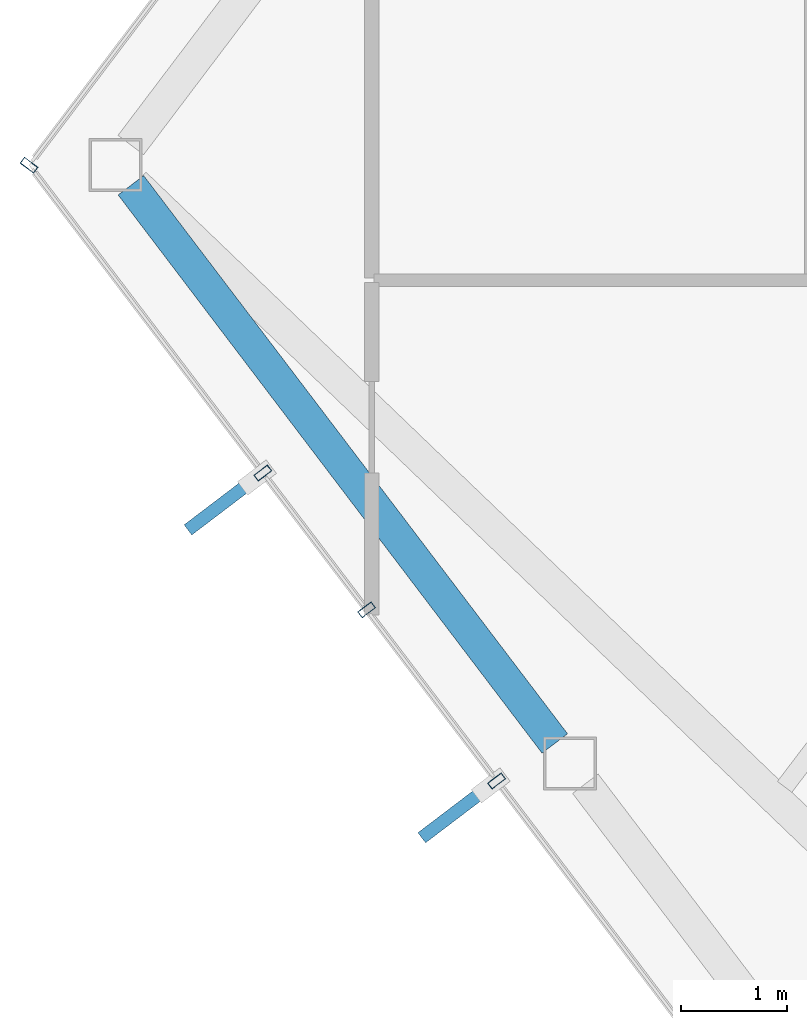
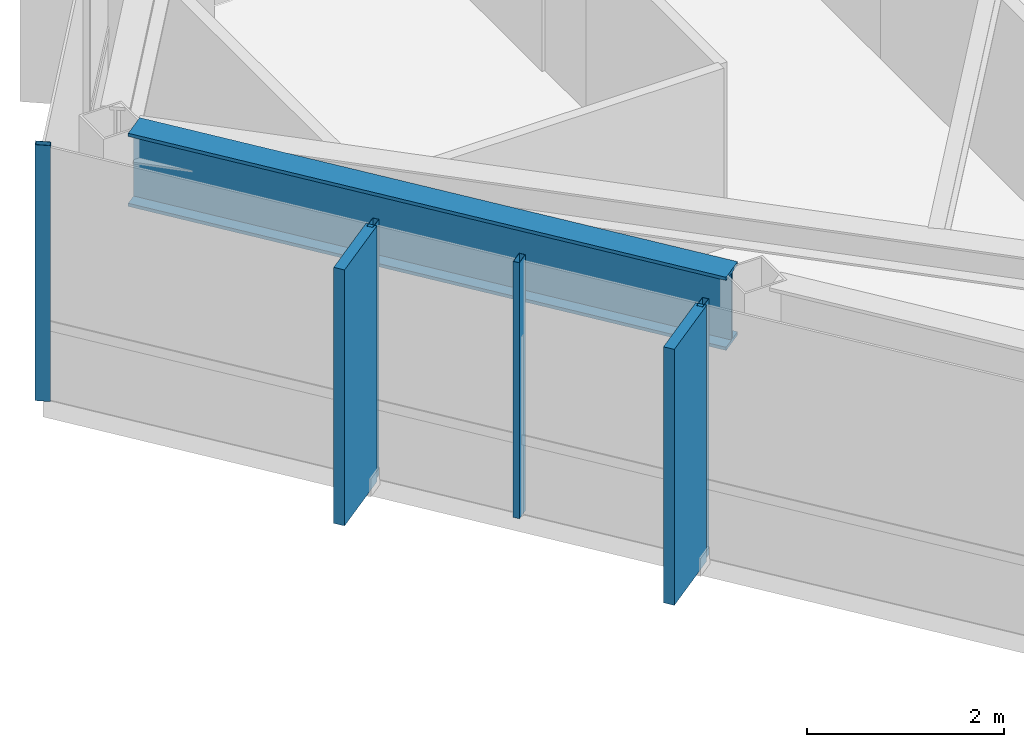
# One storey, part 8 of 24: 6 members, 1 beam, 2 elements without a shape of their own.
"""IFC4 building model written with IfcOpenShell, lengths in metres."""

import ifcopenshell
import ifcopenshell.guid

model = None  # the IFC model being written
_history = None  # IfcOwnerHistory: only IFC2X3 demands one
_inside = {}  # id of a spatial element -> (the spatial element, [elements in it])
_under = {}  # id of a project, library or spatial element -> (it, [spatial elements below it])
_declared = {}  # id of a project -> (the project, [libraries it declares])
_typed = {}  # id of a type object -> (the type object, [elements of that type])
_made_of = {}  # id of a material, layer set ... -> (it, [elements and type objects made of it])


def new_model(schema):
    """Start an empty IFC model of exactly this schema.

    Asked for "IFC4X3", IfcOpenShell would pick the latest addendum, in which some entities
    have other attributes; the version numbers below select the first issue.
    IFC2X3 requires an IfcOwnerHistory on every rooted entity: one is made here for all.
    """
    global model, _history
    if schema == "IFC4X3":
        model = ifcopenshell.file(schema_version=(4, 3, 0, 0))
    else:
        model = ifcopenshell.file(schema=schema)
    _inside.clear()
    _under.clear()
    _declared.clear()
    _typed.clear()
    _made_of.clear()
    _history = None
    if model.schema == "IFC2X3":
        org = make("IfcOrganization", Name="unknown")
        user = make(
            "IfcPersonAndOrganization",
            ThePerson=make("IfcPerson", FamilyName="unknown"),
            TheOrganization=org,
        )
        app = make(
            "IfcApplication",
            ApplicationDeveloper=org,
            Version="unknown",
            ApplicationFullName="unknown",
            ApplicationIdentifier="unknown",
        )
        _history = make(
            "IfcOwnerHistory",
            OwningUser=user,
            OwningApplication=app,
            ChangeAction="ADDED",
            CreationDate=0,
        )
    return model


def make(cls, **values):
    """One entity of the class cls with the attributes given. An attribute that is None is left unset."""
    return model.create_entity(
        cls, **{name: value for name, value in values.items() if value is not None}
    )


def rooted(cls, **values):
    """An entity with a GlobalId (a new one), such as an element, a storey or a relation."""
    return make(cls, GlobalId=ifcopenshell.guid.new(), OwnerHistory=_history, **values)


def si_unit(unit_type, name, prefix=None):
    """IfcSIUnit, for example si_unit("LENGTHUNIT", "METRE", prefix="MILLI")."""
    return make("IfcSIUnit", UnitType=unit_type, Prefix=prefix, Name=name)


def assignment(units):
    """IfcUnitAssignment: the units of a project."""
    return None if units is None else make("IfcUnitAssignment", Units=units)


def point(xyz):
    """IfcCartesianPoint."""
    return None if xyz is None else make("IfcCartesianPoint", Coordinates=xyz)


def direction(xyz):
    """IfcDirection."""
    return None if xyz is None else make("IfcDirection", DirectionRatios=xyz)


def frame(location, z_axis=None, x_axis=None):
    """IfcAxis2Placement3D, a coordinate frame: its origin and axes. An axis left out is left unset."""
    return make(
        "IfcAxis2Placement3D",
        Location=point(location),
        Axis=direction(z_axis),
        RefDirection=direction(x_axis),
    )


def frame_2d(location, x_axis=None):
    """IfcAxis2Placement2D, a coordinate frame in the plane: its origin and x axis."""
    return make(
        "IfcAxis2Placement2D", Location=point(location), RefDirection=direction(x_axis)
    )


def origin():
    """The frame at (0, 0, 0) with its axes left unset."""
    return frame((0.0, 0.0, 0.0))


def origin_2d():
    """The frame at (0, 0) in the plane with its x axis left unset."""
    return frame_2d((0.0, 0.0))


def place(relative_to, where):
    """IfcLocalPlacement: puts the frame where relative to a parent placement (None: the world)."""
    return make(
        "IfcLocalPlacement", PlacementRelTo=relative_to, RelativePlacement=where
    )


def context(
    kind, dimensions, precision=None, world=None, true_north=None, identifier=None
):
    """IfcGeometricRepresentationContext, for example the 3D "Model" context."""
    return make(
        "IfcGeometricRepresentationContext",
        ContextIdentifier=identifier,
        ContextType=kind,
        CoordinateSpaceDimension=dimensions,
        Precision=precision,
        WorldCoordinateSystem=world,
        TrueNorth=true_north,
    )


def subcontext(parent, identifier, kind, view, scale=None):
    """IfcGeometricRepresentationSubContext, for example "Body" below "Model"."""
    return make(
        "IfcGeometricRepresentationSubContext",
        ContextIdentifier=identifier,
        ContextType=kind,
        ParentContext=parent,
        TargetScale=scale,
        TargetView=view,
    )


def project(units=None, contexts=None):
    """IfcProject with its units and contexts."""
    return rooted(
        "IfcProject",
        Name="project",
        RepresentationContexts=contexts,
        UnitsInContext=assignment(units),
    )


def spatial(cls, under=None, at=None, **own):
    """A site, building, storey or space (cls), placed at a placement, below another one or the project."""
    s = rooted(cls, ObjectPlacement=at, **own)
    if under is not None:
        _under.setdefault(under.id(), (under, []))[1].append(s)
    return s


def profile(cls, at=None, kind="AREA", **sizes):
    """A parametric profile (cls). Its sizes go by their IFC names, for example OverallWidth=200.0."""
    return make(cls, ProfileType=kind, Position=at, **sizes)


def rectangle(**sizes):
    """IfcRectangleProfileDef."""
    return profile("IfcRectangleProfileDef", **sizes)


def hollow_rectangle(**sizes):
    """IfcRectangleHollowProfileDef."""
    return profile("IfcRectangleHollowProfileDef", **sizes)


def i_section(**sizes):
    """IfcIShapeProfileDef."""
    return profile("IfcIShapeProfileDef", **sizes)


def extrude(swept, where, along, depth):
    """IfcExtrudedAreaSolid: the profile swept, set in the frame where, extruded along a direction by depth."""
    return make(
        "IfcExtrudedAreaSolid",
        SweptArea=swept,
        Position=where,
        ExtrudedDirection=direction(along),
        Depth=depth,
    )


def shape(context_of_items, identifier, shape_type, items):
    """IfcShapeRepresentation: the items that make up one representation, for example the "Body"."""
    return make(
        "IfcShapeRepresentation",
        ContextOfItems=context_of_items,
        RepresentationIdentifier=identifier,
        RepresentationType=shape_type,
        Items=items,
    )


def material(Name=None, Category=None):
    """IfcMaterial."""
    return make("IfcMaterial", Name=Name, Category=Category)


def layer(
    of_material, thickness, ventilated=None, Name=None, Category=None, Priority=None
):
    """IfcMaterialLayer: one layer of a wall or slab, of a material (None: an air gap)."""
    return make(
        "IfcMaterialLayer",
        Material=of_material,
        LayerThickness=thickness,
        IsVentilated=ventilated,
        Name=Name,
        Category=Category,
        Priority=Priority,
    )


def layer_set(layers, Name=None):
    """IfcMaterialLayerSet."""
    return make("IfcMaterialLayerSet", MaterialLayers=layers, LayerSetName=Name)


def material_profile(
    of_material, cross_section, Name=None, Category=None, Priority=None
):
    """IfcMaterialProfile: a cross section and its material."""
    return make(
        "IfcMaterialProfile",
        Name=Name,
        Material=of_material,
        Profile=cross_section,
        Priority=Priority,
        Category=Category,
    )


def profile_set(profiles, Name=None, composite=None):
    """IfcMaterialProfileSet."""
    return make(
        "IfcMaterialProfileSet",
        Name=Name,
        MaterialProfiles=profiles,
        CompositeProfile=composite,
    )


def made_of(thing, what):
    """Note that an element or type object is made of a material, layer set ...; save() writes the relation."""
    if what is not None:
        _made_of.setdefault(what.id(), (what, []))[1].append(thing)
    return thing


def type_object(cls, material=None, **own):
    """A type object (cls), such as IfcWallType, which elements share."""
    return made_of(rooted(cls, **own), material)


def element(
    cls,
    number,
    at=None,
    inside=None,
    cuts=None,
    type_object=None,
    material=None,
    context=None,
    identifier="Body",
    shape_type=None,
    held_by="IfcProductDefinitionShape",
    body=None,
    shapes=None,
    **own,
):
    """One element of the class cls, such as IfcWall. Its Tag is "e" and its number.

    at: its placement. inside: the storey or other place that contains it. cuts: it is an
    opening in that element (IfcRelVoidsElement). A single representation is given by context,
    identifier, shape_type and body (its items); several are given by shapes. held_by: the class
    of the entity that holds the representations. save() writes the other relations.
    """
    e = rooted(cls, Tag="e%d" % number, ObjectPlacement=at, **own)
    if body is not None:
        shapes = [shape(context, identifier, shape_type, body)]
    if shapes is not None:
        e.Representation = make(held_by, Representations=shapes)
    if inside is not None:
        _inside.setdefault(inside.id(), (inside, []))[1].append(e)
    if cuts is not None:
        rooted(
            "IfcRelVoidsElement", RelatingBuildingElement=cuts, RelatedOpeningElement=e
        )
    if type_object is not None:
        _typed.setdefault(type_object.id(), (type_object, []))[1].append(e)
    return made_of(e, material)


def aggregate(whole, parts):
    """IfcRelAggregates: a whole, such as a stair, and the parts it consists of."""
    return rooted("IfcRelAggregates", RelatingObject=whole, RelatedObjects=parts)


def save(model, path):
    """Write the relations noted so far, then the file.

    IfcRelAggregates (storeys below a building ...), IfcRelContainedInSpatialStructure (elements
    in a storey), IfcRelDefinesByType, IfcRelAssociatesMaterial and IfcRelDeclares: one each for
    every whole, place, type object, material and project.
    """
    for whole, parts in _under.values():
        aggregate(whole, parts)
    for where, things in _inside.values():
        rooted(
            "IfcRelContainedInSpatialStructure",
            RelatedElements=things,
            RelatingStructure=where,
        )
    for kind, things in _typed.values():
        rooted("IfcRelDefinesByType", RelatedObjects=things, RelatingType=kind)
    for what, things in _made_of.values():
        rooted("IfcRelAssociatesMaterial", RelatedObjects=things, RelatingMaterial=what)
    for by, libraries in _declared.values():
        rooted("IfcRelDeclares", RelatingContext=by, RelatedDefinitions=libraries)
    model.write(path)


model = new_model("IFC4")

# Units and contexts
model_context = context("Model", 3, precision=1e-05, world=origin(), true_north=direction((0.0, 1.0)))
body_context = subcontext(model_context, "Body", "Model", "MODEL_VIEW")
ifc_project = project(units=[si_unit("LENGTHUNIT", "METRE"), si_unit("AREAUNIT", "SQUARE_METRE"), si_unit("VOLUMEUNIT", "CUBIC_METRE"), si_unit("PLANEANGLEUNIT", "RADIAN"), si_unit("MASSUNIT", "GRAM", prefix="KILO")], contexts=[model_context])

# Site, building, storey
site_placement = place(None, origin())
site = spatial("IfcSite", under=ifc_project, at=site_placement, CompositionType="ELEMENT")
building_placement = place(site_placement, origin())
building = spatial("IfcBuilding", under=site, at=building_placement, Name="Zarrinselat Tower", CompositionType="ELEMENT")
storey_placement = place(building_placement, frame((0.0, 0.0, 268.60009765625)))
storey = spatial("IfcBuildingStorey", under=building, at=storey_placement, Name="L68", CompositionType="ELEMENT", Elevation=268.60009765625)

# Beam
ifc_material_1 = material(Name="Steel S460M", Category="steel")
ifc_material_profile_1 = material_profile(ifc_material_1, i_section(OverallWidth=0.302001953125, OverallDepth=0.909912109375, WebThickness=0.02099609375, FlangeThickness=0.0400390625, at=origin_2d()), Name="HEM 900")
ifc_profile_set_1 = profile_set([ifc_material_profile_1], Name="Steel S460M")
beam_type = type_object("IfcBeamType", Name="BM-HEM900", PredefinedType="BEAM", material=ifc_profile_set_1)
beam_placement = place(storey_placement, frame((17.03466796875, 42.392578125, 2.724853515625), z_axis=(0.604794392137, -0.79638165677, 0.0), x_axis=(0.79638165677, 0.604794392137, 0.0)))
element("IfcBeam", 1, at=beam_placement, inside=storey, type_object=beam_type, Name="L68 Perimeter Spandrel Girder SP06", PredefinedType="BEAM", context=body_context, shape_type="SweptSolid", body=[
    extrude(i_section(OverallWidth=0.302001953125, OverallDepth=0.909912109375, WebThickness=0.02099609375, FlangeThickness=0.0400390625, at=origin_2d()), origin(), (0.0, 0.0, 1.0), 6.600830078125),
])

# Curtain wall, member
ifc_material_2 = material(Name="Extruded Aluminium Alloy EN AW-6063 T6", Category="aluminium")
ifc_layer = layer(ifc_material_2, 0.169921875)
ifc_layer_set = layer_set([ifc_layer], Name="Extruded Aluminium Alloy EN AW-6063 T6")
curtain_wall_type = type_object("IfcCurtainWallType", Name="CWS-RES", PredefinedType="NOTDEFINED", material=ifc_layer_set)
curtain_wall_1_placement = place(storey_placement, origin())
curtain_wall_1 = element("IfcCurtainWall", 2, at=curtain_wall_1_placement, inside=storey, type_object=curtain_wall_type, Name="L68 Unitised Curtain Wall CW-L68-E02", PredefinedType="NOTDEFINED")
ifc_material_3 = material(Name="Extruded Aluminium Alloy EN AW-6063 T6", Category="aluminium")
ifc_material_profile_2 = material_profile(ifc_material_3, hollow_rectangle(XDim=0.070068359375, YDim=0.159912109375, WallThickness=0.00390625, at=origin_2d()), Name="RHS 160x70x4")
ifc_profile_set_2 = profile_set([ifc_material_profile_2], Name="Extruded Aluminium Alloy EN AW-6063 T6")
member_type_1 = type_object("IfcMemberType", Name="MEM-CW-MUL2", PredefinedType="MULLION", material=ifc_profile_set_2)
member_1_placement = place(storey_placement, frame((16.0751953125, 42.581298828125, 0.0), z_axis=(0.0, 0.0, 1.0), x_axis=(-0.603180355329, -0.797604826305, 0.0)))
member_1 = element("IfcMember", 3, at=member_1_placement, type_object=member_type_1, Name="CW-L68-E02 Mullion 3", PredefinedType="MULLION", context=body_context, shape_type="SweptSolid", body=[
    extrude(hollow_rectangle(XDim=0.070068359375, YDim=0.159912109375, WallThickness=0.00390625, at=origin_2d()), origin(), (0.0, 0.0, 1.0), 3.179931640625),
])
aggregate(curtain_wall_1, [member_1])

# Curtain wall, members
curtain_wall_2_placement = place(storey_placement, origin())
curtain_wall_2 = element("IfcCurtainWall", 4, at=curtain_wall_2_placement, inside=storey, type_object=curtain_wall_type, Name="L68 Unitised Curtain Wall CW-L68-E03", PredefinedType="NOTDEFINED")
member_2_placement = place(storey_placement, frame((18.27685546875, 39.68212890625, 0.0), z_axis=(0.0, 0.0, 1.0), x_axis=(0.604787567266, -0.796386839721, 0.0)))
member_2 = element("IfcMember", 5, at=member_2_placement, type_object=member_type_1, Name="CW-L68-E03 Mullion 1", PredefinedType="MULLION", context=body_context, shape_type="SweptSolid", body=[
    extrude(hollow_rectangle(XDim=0.070068359375, YDim=0.159912109375, WallThickness=0.00390625, at=origin_2d()), origin(), (0.0, 0.0, 1.0), 3.179931640625),
])
member_3_placement = place(storey_placement, frame((19.25439453125, 38.394775390625, 0.0), z_axis=(0.0, 0.0, 1.0), x_axis=(0.604787567266, -0.796386839721, 0.0)))
member_3 = element("IfcMember", 6, at=member_3_placement, type_object=member_type_1, Name="CW-L68-E03 Mullion 2", PredefinedType="MULLION", context=body_context, shape_type="SweptSolid", body=[
    extrude(hollow_rectangle(XDim=0.070068359375, YDim=0.159912109375, WallThickness=0.00390625, at=origin_2d()), origin(), (0.0, 0.0, 1.0), 3.179931640625),
])
member_4_placement = place(storey_placement, frame((20.478515625, 36.783203125, 0.0), z_axis=(0.0, 0.0, 1.0), x_axis=(0.604787567266, -0.796386839721, 0.0)))
member_4 = element("IfcMember", 7, at=member_4_placement, type_object=member_type_1, Name="CW-L68-E03 Mullion 3", PredefinedType="MULLION", context=body_context, shape_type="SweptSolid", body=[
    extrude(hollow_rectangle(XDim=0.070068359375, YDim=0.159912109375, WallThickness=0.00390625, at=origin_2d()), origin(), (0.0, 0.0, 1.0), 3.179931640625),
])
ifc_material_4 = material(Name="Honed Cream Travertine Stone", Category="masonry")
ifc_material_profile_3 = material_profile(ifc_material_4, rectangle(XDim=0.1201171875, YDim=0.85009765625, at=origin_2d()), Name="FIN 850x120")
ifc_profile_set_3 = profile_set([ifc_material_profile_3], Name="Honed Cream Travertine Stone")
member_type_2 = type_object("IfcMemberType", Name="MEM-STONE-FIN", PredefinedType="USERDEFINED", material=ifc_profile_set_3)
member_5_placement = place(storey_placement, frame((17.910400390625, 39.404052734375, 0.0), z_axis=(0.0, 0.0, 1.0), x_axis=(-0.604787567266, 0.796386839721, 0.0)))
member_5 = element("IfcMember", 8, at=member_5_placement, type_object=member_type_2, Name="L68 Stone Shading Fin CW-L68-E03-01", ObjectType="FIN", PredefinedType="USERDEFINED", context=body_context, shape_type="SweptSolid", body=[
    extrude(rectangle(XDim=0.1201171875, YDim=0.85009765625, at=origin_2d()), origin(), (0.0, 0.0, 1.0), 3.179931640625),
])
member_6_placement = place(storey_placement, frame((20.112060546875, 36.5048828125, 0.0), z_axis=(0.0, 0.0, 1.0), x_axis=(-0.604787567266, 0.796386839721, 0.0)))
member_6 = element("IfcMember", 9, at=member_6_placement, type_object=member_type_2, Name="L68 Stone Shading Fin CW-L68-E03-03", ObjectType="FIN", PredefinedType="USERDEFINED", context=body_context, shape_type="SweptSolid", body=[
    extrude(rectangle(XDim=0.1201171875, YDim=0.85009765625, at=origin_2d()), origin(), (0.0, 0.0, 1.0), 3.179931640625),
])
aggregate(curtain_wall_2, [member_2, member_5, member_3, member_4, member_6])

save(model, "model.ifc")
